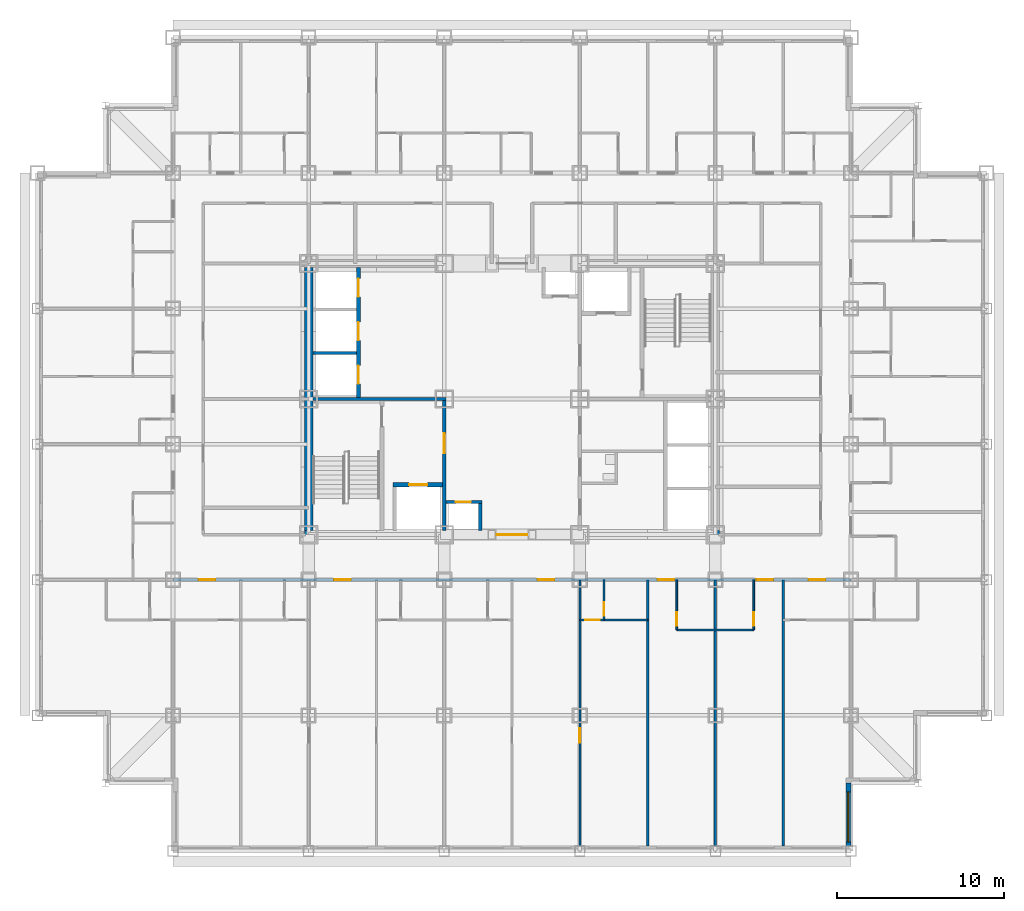
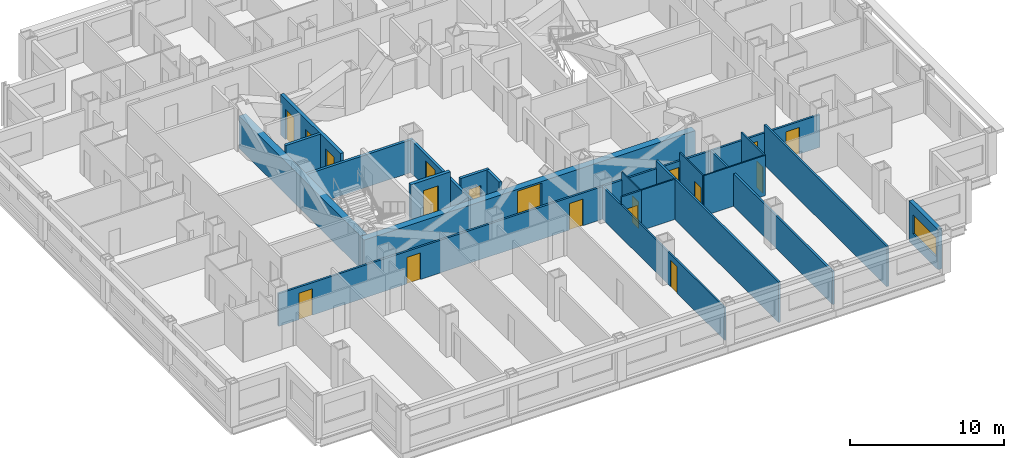
# One storey, part 6 of 14: 21 walls, 18 doors, 1 window, 19 openings.
"""IFC4 building model written with IfcOpenShell, lengths in metres."""

from ifc_helpers import new_model, si_unit, direction, frame, frame_2d, origin, place, context, subcontext, project, spatial, rectangle, extrude, material, layer, layer_set, type_object, element, fill, save


model = new_model("IFC4")

# Units and contexts
model_context = context("Model", 3, precision=1e-05, world=origin(), true_north=direction((0.0, 1.0)))
body_context = subcontext(model_context, "Body", "Model", "MODEL_VIEW")
ifc_project = project(units=[si_unit("LENGTHUNIT", "METRE"), si_unit("AREAUNIT", "SQUARE_METRE"), si_unit("VOLUMEUNIT", "CUBIC_METRE"), si_unit("PLANEANGLEUNIT", "RADIAN"), si_unit("MASSUNIT", "GRAM", prefix="KILO")], contexts=[model_context])

# Site, building, storey
site_placement = place(None, origin())
site = spatial("IfcSite", under=ifc_project, at=site_placement, CompositionType="ELEMENT")
building_placement = place(site_placement, origin())
building = spatial("IfcBuilding", under=site, at=building_placement, Name="Kopane Lantern Tower", CompositionType="ELEMENT")
storey_placement = place(building_placement, frame((0.0, 0.0, 123.800048828125)))
storey = spatial("IfcBuildingStorey", under=building, at=storey_placement, Name="L31", CompositionType="ELEMENT", Elevation=123.800048828125)

# Wall, opening, door
ifc_material_1 = material(Name="Gypsum board on steel studs", Category="steel")
ifc_layer_1 = layer(ifc_material_1, 0.1201171875)
ifc_layer_set_1 = layer_set([ifc_layer_1], Name="APARTMENT INTERNAL WALL 120")
wall_type_1 = type_object("IfcWallType", Name="APARTMENT INTERNAL WALL 120", PredefinedType="PARTITIONING", material=ifc_layer_set_1)
wall_1_placement = place(storey_placement, frame((32.39990234375, 21.60009765625, 0.0), z_axis=(0.0, 0.0, 1.0), x_axis=(0.0, -1.0, 0.0)))
wall_1 = element("IfcWall", 1, at=wall_1_placement, inside=storey, type_object=wall_type_1, Name="Apartment Internal Wall 120 L31", PredefinedType="PARTITIONING", context=body_context, shape_type="SweptSolid", body=[
    extrude(rectangle(XDim=15.900146484375, YDim=0.1201171875, at=frame_2d((7.9501953125, 0.0))), origin(), (0.0, 0.0, 1.0), 2.57763671875),
])
opening_1_placement = place(wall_1_placement, frame((8.875, 0.0, 0.0)))
opening_1 = element("IfcOpeningElement", 2, at=opening_1_placement, cuts=wall_1, Name="Opening L31-024", PredefinedType="OPENING", context=body_context, shape_type="SweptSolid", body=[
    extrude(rectangle(XDim=0.85009765625, YDim=2.10009765625, at=frame_2d((0.425048828125, 1.050048828125))), frame((0.0, 0.070068359375, 0.0), z_axis=(0.0, -1.0, 0.0), x_axis=(1.0, 0.0, 0.0)), (0.0, 0.0, 1.0), 0.14013671875),
])
ifc_material_2 = material(Name="Timber door set", Category="wood")
door_type_1 = type_object("IfcDoorType", Name="DOOR D4 850x2100", OperationType="SINGLE_SWING_LEFT", PredefinedType="DOOR", material=ifc_material_2)
door_1_placement = place(opening_1_placement, origin())
door_1 = element("IfcDoor", 3, at=door_1_placement, inside=storey, type_object=door_type_1, Name="Door L31-024", OperationType="SINGLE_SWING_LEFT", OverallHeight=2.10009765625, OverallWidth=0.85009765625, PredefinedType="DOOR", context=body_context, shape_type="SweptSolid", body=[
    extrude(rectangle(XDim=0.85009765625, YDim=2.10009765625, at=frame_2d((0.425048828125, 1.050048828125))), frame((0.0, 0.02490234375, 0.0), z_axis=(0.0, -1.0, 0.0), x_axis=(1.0, 0.0, 0.0)), (0.0, 0.0, 1.0), 0.050048828125),
])
fill(opening_1, door_1)

wall_2_placement = place(storey_placement, frame((33.860107421875, 19.199951171875, 0.0), z_axis=(0.0, 0.0, 1.0), x_axis=(-1.0, 0.0, 0.0)))
wall_2 = element("IfcWall", 4, at=wall_2_placement, inside=storey, type_object=wall_type_1, Name="Apartment Internal Wall 120 L31", PredefinedType="PARTITIONING", context=body_context, shape_type="SweptSolid", body=[
    extrude(rectangle(XDim=1.460205078125, YDim=0.1201171875, at=frame_2d((0.72998046875, 0.0))), origin(), (0.0, 0.0, 1.0), 3.18994140625),
])
opening_2_placement = place(wall_2_placement, frame((0.27490234375, 0.0, 0.0)))
opening_2 = element("IfcOpeningElement", 5, at=opening_2_placement, cuts=wall_2, Name="Opening L31-082", PredefinedType="OPENING", context=body_context, shape_type="SweptSolid", body=[
    extrude(rectangle(XDim=0.85009765625, YDim=2.10009765625, at=frame_2d((0.425048828125, 1.050048828125))), frame((0.0, 0.070068359375, 0.0), z_axis=(0.0, -1.0, 0.0), x_axis=(1.0, 0.0, 0.0)), (0.0, 0.0, 1.0), 0.14013671875),
])
door_2_placement = place(opening_2_placement, origin())
door_2 = element("IfcDoor", 6, at=door_2_placement, inside=storey, type_object=door_type_1, Name="Door L31-082", OperationType="SINGLE_SWING_RIGHT", OverallHeight=2.10009765625, OverallWidth=0.85009765625, PredefinedType="DOOR", context=body_context, shape_type="SweptSolid", body=[
    extrude(rectangle(XDim=0.85009765625, YDim=2.10009765625, at=frame_2d((0.425048828125, 1.050048828125))), frame((0.0, 0.02490234375, 0.0), z_axis=(0.0, -1.0, 0.0), x_axis=(1.0, 0.0, 0.0)), (0.0, 0.0, 1.0), 0.050048828125),
])
fill(opening_2, door_2)

# Wall
ifc_material_3 = material(Name="Moisture-resistant board on steel studs", Category="steel")
ifc_layer_2 = layer(ifc_material_3, 0.10009765625)
ifc_layer_set_2 = layer_set([ifc_layer_2], Name="BATHROOM WALL 100")
wall_type_2 = type_object("IfcWallType", Name="BATHROOM WALL 100", PredefinedType="PARTITIONING", material=ifc_layer_set_2)
wall_3_placement = place(storey_placement, frame((33.85009765625, 19.199951171875, 0.0), z_axis=(0.0, 0.0, 1.0), x_axis=(1.0, 0.0, 0.0)))
element("IfcWall", 7, at=wall_3_placement, inside=storey, type_object=wall_type_2, Name="Bathroom Wall 100 L31", PredefinedType="PARTITIONING", context=body_context, shape_type="SweptSolid", body=[
    extrude(rectangle(XDim=2.599853515625, YDim=0.10009765625, at=frame_2d((1.2998046875, 0.0))), origin(), (0.0, 0.0, 1.0), 3.18994140625),
])

# Wall, opening, door
wall_4_placement = place(storey_placement, frame((33.85009765625, 21.60009765625, 0.0), z_axis=(0.0, 0.0, 1.0), x_axis=(0.0, -1.0, 0.0)))
wall_4 = element("IfcWall", 8, at=wall_4_placement, inside=storey, type_object=wall_type_2, Name="Bathroom Wall 100 L31", PredefinedType="PARTITIONING", context=body_context, shape_type="SweptSolid", body=[
    extrude(rectangle(XDim=2.400146484375, YDim=0.10009765625, at=frame_2d((1.2001953125, 0.0))), origin(), (0.0, 0.0, 1.0), 3.18994140625),
])
opening_3_placement = place(wall_4_placement, frame((1.35009765625, 0.0, 0.0)))
opening_3 = element("IfcOpeningElement", 9, at=opening_3_placement, cuts=wall_4, Name="Opening L31-023", PredefinedType="OPENING", context=body_context, shape_type="SweptSolid", body=[
    extrude(rectangle(XDim=0.800048828125, YDim=2.10009765625, at=frame_2d((0.39990234375, 1.050048828125))), frame((0.0, 0.06005859375, 0.0), z_axis=(0.0, -1.0, 0.0), x_axis=(1.0, 0.0, 0.0)), (0.0, 0.0, 1.0), 0.1201171875),
])
ifc_material_4 = material(Name="Timber door set", Category="wood")
door_type_2 = type_object("IfcDoorType", Name="DOOR D2 800x2100", OperationType="SINGLE_SWING_LEFT", PredefinedType="DOOR", material=ifc_material_4)
door_3_placement = place(opening_3_placement, origin())
door_3 = element("IfcDoor", 10, at=door_3_placement, inside=storey, type_object=door_type_2, Name="Door L31-023", OperationType="SINGLE_SWING_LEFT", OverallHeight=2.10009765625, OverallWidth=0.800048828125, PredefinedType="DOOR", context=body_context, shape_type="SweptSolid", body=[
    extrude(rectangle(XDim=0.800048828125, YDim=2.10009765625, at=frame_2d((0.39990234375, 1.050048828125))), frame((0.0, 0.02490234375, 0.0), z_axis=(0.0, -1.0, 0.0), x_axis=(1.0, 0.0, 0.0)), (0.0, 0.0, 1.0), 0.050048828125),
])
fill(opening_3, door_3)

# Wall
wall_5_placement = place(storey_placement, frame((38.199951171875, 18.60009765625, 0.0), z_axis=(0.0, 0.0, 1.0), x_axis=(1.0, 0.0, 0.0)))
element("IfcWall", 11, at=wall_5_placement, inside=storey, type_object=wall_type_2, Name="Bathroom Wall 100 L31", PredefinedType="PARTITIONING", context=body_context, shape_type="SweptSolid", body=[
    extrude(rectangle(XDim=4.60009765625, YDim=0.10009765625, at=frame_2d((2.300048828125, 0.0))), origin(), (0.0, 0.0, 1.0), 3.18994140625),
])

# Wall, opening, door
wall_6_placement = place(storey_placement, frame((38.199951171875, 21.60009765625, 0.0), z_axis=(0.0, 0.0, 1.0), x_axis=(0.0, -1.0, 0.0)))
wall_6 = element("IfcWall", 12, at=wall_6_placement, inside=storey, type_object=wall_type_2, Name="Bathroom Wall 100 L31", PredefinedType="PARTITIONING", context=body_context, shape_type="SweptSolid", body=[
    extrude(rectangle(XDim=3.0, YDim=0.10009765625, at=frame_2d((1.5, 0.0))), origin(), (0.0, 0.0, 1.0), 3.18994140625),
])
opening_4_placement = place(wall_6_placement, frame((1.949951171875, 0.0, 0.0)))
opening_4 = element("IfcOpeningElement", 13, at=opening_4_placement, cuts=wall_6, Name="Opening L31-025", PredefinedType="OPENING", context=body_context, shape_type="SweptSolid", body=[
    extrude(rectangle(XDim=0.800048828125, YDim=2.10009765625, at=frame_2d((0.39990234375, 1.050048828125))), frame((0.0, 0.06005859375, 0.0), z_axis=(0.0, -1.0, 0.0), x_axis=(1.0, 0.0, 0.0)), (0.0, 0.0, 1.0), 0.1201171875),
])
door_4_placement = place(opening_4_placement, origin())
door_4 = element("IfcDoor", 14, at=door_4_placement, inside=storey, type_object=door_type_2, Name="Door L31-025", OperationType="SINGLE_SWING_RIGHT", OverallHeight=2.10009765625, OverallWidth=0.800048828125, PredefinedType="DOOR", context=body_context, shape_type="SweptSolid", body=[
    extrude(rectangle(XDim=0.800048828125, YDim=2.10009765625, at=frame_2d((0.39990234375, 1.050048828125))), frame((0.0, 0.02490234375, 0.0), z_axis=(0.0, -1.0, 0.0), x_axis=(1.0, 0.0, 0.0)), (0.0, 0.0, 1.0), 0.050048828125),
])
fill(opening_4, door_4)

wall_7_placement = place(storey_placement, frame((42.800048828125, 21.60009765625, 0.0), z_axis=(0.0, 0.0, 1.0), x_axis=(0.0, -1.0, 0.0)))
wall_7 = element("IfcWall", 15, at=wall_7_placement, inside=storey, type_object=wall_type_2, Name="Bathroom Wall 100 L31", PredefinedType="PARTITIONING", context=body_context, shape_type="SweptSolid", body=[
    extrude(rectangle(XDim=3.0, YDim=0.10009765625, at=frame_2d((1.5, 0.0))), origin(), (0.0, 0.0, 1.0), 3.18994140625),
])
opening_5_placement = place(wall_7_placement, frame((1.949951171875, 0.0, 0.0)))
opening_5 = element("IfcOpeningElement", 16, at=opening_5_placement, cuts=wall_7, Name="Opening L31-027", PredefinedType="OPENING", context=body_context, shape_type="SweptSolid", body=[
    extrude(rectangle(XDim=0.800048828125, YDim=2.10009765625, at=frame_2d((0.39990234375, 1.050048828125))), frame((0.0, 0.06005859375, 0.0), z_axis=(0.0, -1.0, 0.0), x_axis=(1.0, 0.0, 0.0)), (0.0, 0.0, 1.0), 0.1201171875),
])
door_5_placement = place(opening_5_placement, origin())
door_5 = element("IfcDoor", 17, at=door_5_placement, inside=storey, type_object=door_type_2, Name="Door L31-027", OperationType="SINGLE_SWING_LEFT", OverallHeight=2.10009765625, OverallWidth=0.800048828125, PredefinedType="DOOR", context=body_context, shape_type="SweptSolid", body=[
    extrude(rectangle(XDim=0.800048828125, YDim=2.10009765625, at=frame_2d((0.39990234375, 1.050048828125))), frame((0.0, 0.02490234375, 0.0), z_axis=(0.0, -1.0, 0.0), x_axis=(1.0, 0.0, 0.0)), (0.0, 0.0, 1.0), 0.050048828125),
])
fill(opening_5, door_5)

ifc_material_5 = material(Name="Gypsum shaft wall EI 120", Category="gypsum")
ifc_layer_3 = layer(ifc_material_5, 0.5)
ifc_layer_set_3 = layer_set([ifc_layer_3], Name="CORE PERIMETER WALL 500 EI 120")
wall_type_3 = type_object("IfcWallType", Name="CORE PERIMETER WALL 500 EI 120", PredefinedType="SOLIDWALL", material=ifc_layer_set_3)
wall_8_placement = place(storey_placement, frame((15.949951171875, 24.300048828125, 0.0), z_axis=(0.0, 0.0, 1.0), x_axis=(1.0, 0.0, 0.0)))
wall_8 = element("IfcWall", 18, at=wall_8_placement, inside=storey, type_object=wall_type_3, Name="Core shaft wall L31 PS", PredefinedType="SOLIDWALL", context=body_context, shape_type="SweptSolid", body=[
    extrude(rectangle(XDim=24.800048828125, YDim=0.5, at=frame_2d((12.39990234375, 0.0))), origin(), (0.0, 0.0, 1.0), 2.5400390625),
])
opening_6_placement = place(wall_8_placement, frame((11.5, 0.0, 0.0)))
opening_6 = element("IfcOpeningElement", 19, at=opening_6_placement, cuts=wall_8, Name="Opening 31.CE-S", PredefinedType="OPENING", context=body_context, shape_type="SweptSolid", body=[
    extrude(rectangle(XDim=1.800048828125, YDim=2.39990234375, at=frame_2d((0.89990234375, 1.199951171875))), frame((0.0, 0.260009765625, 0.0), z_axis=(0.0, -1.0, 0.0), x_axis=(1.0, 0.0, 0.0)), (0.0, 0.0, 1.0), 0.52001953125),
])
ifc_material_6 = material(Name="Steel door set", Category="steel")
door_type_3 = type_object("IfcDoorType", Name="CORE ENTRY DOOR 1800x2400 FD60S", OperationType="DOUBLE_DOOR_SINGLE_SWING", PredefinedType="DOOR", material=ifc_material_6)
door_6_placement = place(opening_6_placement, origin())
door_6 = element("IfcDoor", 20, at=door_6_placement, inside=storey, type_object=door_type_3, Name="Core entry door L31 south", OperationType="DOUBLE_DOOR_SINGLE_SWING", OverallHeight=2.39990234375, OverallWidth=1.800048828125, PredefinedType="DOOR", context=body_context, shape_type="SweptSolid", body=[
    extrude(rectangle(XDim=1.800048828125, YDim=2.39990234375, at=frame_2d((0.89990234375, 1.199951171875))), frame((0.0, 0.02490234375, 0.0), z_axis=(0.0, -1.0, 0.0), x_axis=(1.0, 0.0, 0.0)), (0.0, 0.0, 1.0), 0.050048828125),
])
fill(opening_6, door_6)

# Wall
wall_9_placement = place(storey_placement, frame((16.199951171875, 24.550048828125, 0.0), z_axis=(0.0, 0.0, 1.0), x_axis=(0.0, 1.0, 0.0)))
element("IfcWall", 21, at=wall_9_placement, inside=storey, type_object=wall_type_3, Name="Core shaft wall L31 PW", PredefinedType="SOLIDWALL", context=body_context, shape_type="SweptSolid", body=[
    extrude(rectangle(XDim=15.699951171875, YDim=0.5, at=frame_2d((7.85009765625, 0.0))), origin(), (0.0, 0.0, 1.0), 2.57763671875),
])

# Wall, opening, door
ifc_material_7 = material(Name="Gypsum shaft wall EI 120", Category="gypsum")
ifc_layer_4 = layer(ifc_material_7, 0.25)
ifc_layer_set_4 = layer_set([ifc_layer_4], Name="CORE SHAFT WALL 250 EI 120")
wall_type_4 = type_object("IfcWallType", Name="CORE SHAFT WALL 250 EI 120", PredefinedType="SOLIDWALL", material=ifc_layer_set_4)
wall_10_placement = place(storey_placement, frame((21.25, 27.27490234375, 0.0), z_axis=(0.0, 0.0, 1.0), x_axis=(1.0, 0.0, 0.0)))
wall_10 = element("IfcWall", 22, at=wall_10_placement, inside=storey, type_object=wall_type_4, Name="Core shaft wall L31 YLF1", PredefinedType="SOLIDWALL", context=body_context, shape_type="SweptSolid", body=[
    extrude(rectangle(XDim=2.949951171875, YDim=0.25, at=frame_2d((1.47509765625, 0.0))), origin(), (0.0, 0.0, 1.0), 3.18994140625),
])
opening_7_placement = place(wall_10_placement, frame((0.949951171875, 0.0, 0.0)))
opening_7 = element("IfcOpeningElement", 23, at=opening_7_placement, cuts=wall_10, Name="Opening 31.LD-LF1", PredefinedType="OPENING", context=body_context, shape_type="SweptSolid", body=[
    extrude(rectangle(XDim=1.10009765625, YDim=2.39990234375, at=frame_2d((0.550048828125, 1.199951171875))), frame((0.0, 0.135009765625, 0.0), z_axis=(0.0, -1.0, 0.0), x_axis=(1.0, 0.0, 0.0)), (0.0, 0.0, 1.0), 0.27001953125),
])
ifc_material_8 = material(Name="Steel door set", Category="steel")
door_type_4 = type_object("IfcDoorType", Name="LIFT LANDING DOOR 1100x2400 FD60", OperationType="DOUBLE_DOOR_SLIDING", PredefinedType="DOOR", material=ifc_material_8)
door_7_placement = place(opening_7_placement, origin())
door_7 = element("IfcDoor", 24, at=door_7_placement, inside=storey, type_object=door_type_4, Name="Landing door LF1 L31", OperationType="DOUBLE_DOOR_SLIDING", OverallHeight=2.39990234375, OverallWidth=1.10009765625, PredefinedType="DOOR", context=body_context, shape_type="SweptSolid", body=[
    extrude(rectangle(XDim=1.10009765625, YDim=2.39990234375, at=frame_2d((0.550048828125, 1.199951171875))), frame((0.0, 0.02490234375, 0.0), z_axis=(0.0, -1.0, 0.0), x_axis=(1.0, 0.0, 0.0)), (0.0, 0.0, 1.0), 0.050048828125),
])
fill(opening_7, door_7)

# Wall, openings, doors
wall_11_placement = place(storey_placement, frame((19.175048828125, 32.5, 0.0), z_axis=(0.0, 0.0, 1.0), x_axis=(0.0, 1.0, 0.0)))
wall_11 = element("IfcWall", 25, at=wall_11_placement, inside=storey, type_object=wall_type_4, Name="Core shaft wall L31 XLH", PredefinedType="SOLIDWALL", context=body_context, shape_type="SweptSolid", body=[
    extrude(rectangle(XDim=7.75, YDim=0.25, at=frame_2d((3.875, 0.0))), origin(), (0.0, 0.0, 1.0), 3.18994140625),
])
opening_8_placement = place(wall_11_placement, frame((0.800048828125, 0.0, 0.0)))
opening_8 = element("IfcOpeningElement", 26, at=opening_8_placement, cuts=wall_11, Name="Opening 31.LD-LH1", PredefinedType="OPENING", context=body_context, shape_type="SweptSolid", body=[
    extrude(rectangle(XDim=1.10009765625, YDim=2.39990234375, at=frame_2d((0.550048828125, 1.199951171875))), frame((0.0, 0.135009765625, 0.0), z_axis=(0.0, -1.0, 0.0), x_axis=(1.0, 0.0, 0.0)), (0.0, 0.0, 1.0), 0.27001953125),
])
opening_9_placement = place(wall_11_placement, frame((3.39990234375, 0.0, 0.0)))
opening_9 = element("IfcOpeningElement", 27, at=opening_9_placement, cuts=wall_11, Name="Opening 31.LD-LH2", PredefinedType="OPENING", context=body_context, shape_type="SweptSolid", body=[
    extrude(rectangle(XDim=1.10009765625, YDim=2.39990234375, at=frame_2d((0.550048828125, 1.199951171875))), frame((0.0, 0.135009765625, 0.0), z_axis=(0.0, -1.0, 0.0), x_axis=(1.0, 0.0, 0.0)), (0.0, 0.0, 1.0), 0.27001953125),
])
opening_10_placement = place(wall_11_placement, frame((6.0, 0.0, 0.0)))
opening_10 = element("IfcOpeningElement", 28, at=opening_10_placement, cuts=wall_11, Name="Opening 31.LD-LH3", PredefinedType="OPENING", context=body_context, shape_type="SweptSolid", body=[
    extrude(rectangle(XDim=1.10009765625, YDim=2.39990234375, at=frame_2d((0.550048828125, 1.199951171875))), frame((0.0, 0.135009765625, 0.0), z_axis=(0.0, -1.0, 0.0), x_axis=(1.0, 0.0, 0.0)), (0.0, 0.0, 1.0), 0.27001953125),
])
door_8_placement = place(opening_8_placement, origin())
door_8 = element("IfcDoor", 29, at=door_8_placement, inside=storey, type_object=door_type_4, Name="Landing door LH1 L31", OperationType="DOUBLE_DOOR_SLIDING", OverallHeight=2.39990234375, OverallWidth=1.10009765625, PredefinedType="DOOR", context=body_context, shape_type="SweptSolid", body=[
    extrude(rectangle(XDim=1.10009765625, YDim=2.39990234375, at=frame_2d((0.550048828125, 1.199951171875))), frame((0.0, 0.02490234375, 0.0), z_axis=(0.0, -1.0, 0.0), x_axis=(1.0, 0.0, 0.0)), (0.0, 0.0, 1.0), 0.050048828125),
])
fill(opening_8, door_8)
door_9_placement = place(opening_9_placement, origin())
door_9 = element("IfcDoor", 30, at=door_9_placement, inside=storey, type_object=door_type_4, Name="Landing door LH2 L31", OperationType="DOUBLE_DOOR_SLIDING", OverallHeight=2.39990234375, OverallWidth=1.10009765625, PredefinedType="DOOR", context=body_context, shape_type="SweptSolid", body=[
    extrude(rectangle(XDim=1.10009765625, YDim=2.39990234375, at=frame_2d((0.550048828125, 1.199951171875))), frame((0.0, 0.02490234375, 0.0), z_axis=(0.0, -1.0, 0.0), x_axis=(1.0, 0.0, 0.0)), (0.0, 0.0, 1.0), 0.050048828125),
])
fill(opening_9, door_9)
door_10_placement = place(opening_10_placement, origin())
door_10 = element("IfcDoor", 31, at=door_10_placement, inside=storey, type_object=door_type_4, Name="Landing door LH3 L31", OperationType="DOUBLE_DOOR_SLIDING", OverallHeight=2.39990234375, OverallWidth=1.10009765625, PredefinedType="DOOR", context=body_context, shape_type="SweptSolid", body=[
    extrude(rectangle(XDim=1.10009765625, YDim=2.39990234375, at=frame_2d((0.550048828125, 1.199951171875))), frame((0.0, 0.02490234375, 0.0), z_axis=(0.0, -1.0, 0.0), x_axis=(1.0, 0.0, 0.0)), (0.0, 0.0, 1.0), 0.050048828125),
])
fill(opening_10, door_10)

ifc_material_9 = material(Name="Gypsum board on steel studs", Category="steel")
ifc_layer_5 = layer(ifc_material_9, 0.14990234375)
ifc_layer_set_5 = layer_set([ifc_layer_5], Name="CORRIDOR WALL 150 EI 60")
wall_type_5 = type_object("IfcWallType", Name="CORRIDOR WALL 150 EI 60", PredefinedType="PARTITIONING", material=ifc_layer_set_5)
wall_12_placement = place(storey_placement, frame((8.10009765625, 21.60009765625, 0.0), z_axis=(0.0, 0.0, 1.0), x_axis=(1.0, 0.0, 0.0)))
wall_12 = element("IfcWall", 32, at=wall_12_placement, inside=storey, type_object=wall_type_5, Name="Corridor Wall 150 Ei 60 L31", PredefinedType="PARTITIONING", context=body_context, shape_type="SweptSolid", body=[
    extrude(rectangle(XDim=40.5, YDim=0.14990234375, at=frame_2d((20.25, 0.0))), origin(), (0.0, 0.0, 1.0), 2.57763671875),
])
opening_11_placement = place(wall_12_placement, frame((9.625, 0.0, 0.0)))
opening_11 = element("IfcOpeningElement", 33, at=opening_11_placement, cuts=wall_12, Name="Opening L31-015", PredefinedType="OPENING", context=body_context, shape_type="SweptSolid", body=[
    extrude(rectangle(XDim=1.0, YDim=2.10009765625, at=frame_2d((0.5, 1.050048828125))), frame((0.0, 0.0849609375, 0.0), z_axis=(0.0, -1.0, 0.0), x_axis=(1.0, 0.0, 0.0)), (0.0, 0.0, 1.0), 0.169921875),
])
opening_12_placement = place(wall_12_placement, frame((21.77490234375, 0.0, 0.0)))
opening_12 = element("IfcOpeningElement", 34, at=opening_12_placement, cuts=wall_12, Name="Opening L31-020", PredefinedType="OPENING", context=body_context, shape_type="SweptSolid", body=[
    extrude(rectangle(XDim=1.0, YDim=2.10009765625, at=frame_2d((0.5, 1.050048828125))), frame((0.0, 0.0849609375, 0.0), z_axis=(0.0, -1.0, 0.0), x_axis=(1.0, 0.0, 0.0)), (0.0, 0.0, 1.0), 0.169921875),
])
opening_13_placement = place(wall_12_placement, frame((28.949951171875, 0.0, 0.0)))
opening_13 = element("IfcOpeningElement", 35, at=opening_13_placement, cuts=wall_12, Name="Opening L31-026", PredefinedType="OPENING", context=body_context, shape_type="SweptSolid", body=[
    extrude(rectangle(XDim=1.0, YDim=2.10009765625, at=frame_2d((0.5, 1.050048828125))), frame((0.0, 0.0849609375, 0.0), z_axis=(0.0, -1.0, 0.0), x_axis=(1.0, 0.0, 0.0)), (0.0, 0.0, 1.0), 0.169921875),
])
opening_14_placement = place(wall_12_placement, frame((34.85009765625, 0.0, 0.0)))
opening_14 = element("IfcOpeningElement", 36, at=opening_14_placement, cuts=wall_12, Name="Opening L31-028", PredefinedType="OPENING", context=body_context, shape_type="SweptSolid", body=[
    extrude(rectangle(XDim=1.0, YDim=2.10009765625, at=frame_2d((0.5, 1.050048828125))), frame((0.0, 0.0849609375, 0.0), z_axis=(0.0, -1.0, 0.0), x_axis=(1.0, 0.0, 0.0)), (0.0, 0.0, 1.0), 0.169921875),
])
opening_15_placement = place(wall_12_placement, frame((1.52490234375, 0.0, 0.0)))
opening_15 = element("IfcOpeningElement", 37, at=opening_15_placement, cuts=wall_12, Name="Opening L31-065", PredefinedType="OPENING", context=body_context, shape_type="SweptSolid", body=[
    extrude(rectangle(XDim=1.0, YDim=2.10009765625, at=frame_2d((0.5, 1.050048828125))), frame((0.0, 0.0849609375, 0.0), z_axis=(0.0, -1.0, 0.0), x_axis=(1.0, 0.0, 0.0)), (0.0, 0.0, 1.0), 0.169921875),
])
opening_16_placement = place(wall_12_placement, frame((37.97509765625, 0.0, 0.0)))
opening_16 = element("IfcOpeningElement", 38, at=opening_16_placement, cuts=wall_12, Name="Opening L31-069", PredefinedType="OPENING", context=body_context, shape_type="SweptSolid", body=[
    extrude(rectangle(XDim=1.0, YDim=2.10009765625, at=frame_2d((0.5, 1.050048828125))), frame((0.0, 0.0849609375, 0.0), z_axis=(0.0, -1.0, 0.0), x_axis=(1.0, 0.0, 0.0)), (0.0, 0.0, 1.0), 0.169921875),
])
ifc_material_10 = material(Name="Steel door set", Category="steel")
door_type_5 = type_object("IfcDoorType", Name="DOOR D1 1000x2100 FD30S", OperationType="SINGLE_SWING_LEFT", PredefinedType="DOOR", material=ifc_material_10)
door_11_placement = place(opening_11_placement, origin())
door_11 = element("IfcDoor", 39, at=door_11_placement, inside=storey, type_object=door_type_5, Name="Door L31-015", OperationType="SINGLE_SWING_LEFT", OverallHeight=2.10009765625, OverallWidth=1.0, PredefinedType="DOOR", context=body_context, shape_type="SweptSolid", body=[
    extrude(rectangle(XDim=1.0, YDim=2.10009765625, at=frame_2d((0.5, 1.050048828125))), frame((0.0, 0.02490234375, 0.0), z_axis=(0.0, -1.0, 0.0), x_axis=(1.0, 0.0, 0.0)), (0.0, 0.0, 1.0), 0.050048828125),
])
fill(opening_11, door_11)
door_12_placement = place(opening_12_placement, origin())
door_12 = element("IfcDoor", 40, at=door_12_placement, inside=storey, type_object=door_type_5, Name="Door L31-020", OperationType="SINGLE_SWING_RIGHT", OverallHeight=2.10009765625, OverallWidth=1.0, PredefinedType="DOOR", context=body_context, shape_type="SweptSolid", body=[
    extrude(rectangle(XDim=1.0, YDim=2.10009765625, at=frame_2d((0.5, 1.050048828125))), frame((0.0, 0.02490234375, 0.0), z_axis=(0.0, -1.0, 0.0), x_axis=(1.0, 0.0, 0.0)), (0.0, 0.0, 1.0), 0.050048828125),
])
fill(opening_12, door_12)
door_13_placement = place(opening_13_placement, origin())
door_13 = element("IfcDoor", 41, at=door_13_placement, inside=storey, type_object=door_type_5, Name="Door L31-026", OperationType="SINGLE_SWING_LEFT", OverallHeight=2.10009765625, OverallWidth=1.0, PredefinedType="DOOR", context=body_context, shape_type="SweptSolid", body=[
    extrude(rectangle(XDim=1.0, YDim=2.10009765625, at=frame_2d((0.5, 1.050048828125))), frame((0.0, 0.02490234375, 0.0), z_axis=(0.0, -1.0, 0.0), x_axis=(1.0, 0.0, 0.0)), (0.0, 0.0, 1.0), 0.050048828125),
])
fill(opening_13, door_13)
door_14_placement = place(opening_14_placement, origin())
door_14 = element("IfcDoor", 42, at=door_14_placement, inside=storey, type_object=door_type_5, Name="Door L31-028", OperationType="SINGLE_SWING_RIGHT", OverallHeight=2.10009765625, OverallWidth=1.0, PredefinedType="DOOR", context=body_context, shape_type="SweptSolid", body=[
    extrude(rectangle(XDim=1.0, YDim=2.10009765625, at=frame_2d((0.5, 1.050048828125))), frame((0.0, 0.02490234375, 0.0), z_axis=(0.0, -1.0, 0.0), x_axis=(1.0, 0.0, 0.0)), (0.0, 0.0, 1.0), 0.050048828125),
])
fill(opening_14, door_14)
door_15_placement = place(opening_15_placement, origin())
door_15 = element("IfcDoor", 43, at=door_15_placement, inside=storey, type_object=door_type_5, Name="Door L31-065", OperationType="SINGLE_SWING_LEFT", OverallHeight=2.10009765625, OverallWidth=1.0, PredefinedType="DOOR", context=body_context, shape_type="SweptSolid", body=[
    extrude(rectangle(XDim=1.0, YDim=2.10009765625, at=frame_2d((0.5, 1.050048828125))), frame((0.0, 0.02490234375, 0.0), z_axis=(0.0, -1.0, 0.0), x_axis=(1.0, 0.0, 0.0)), (0.0, 0.0, 1.0), 0.050048828125),
])
fill(opening_15, door_15)
door_16_placement = place(opening_16_placement, origin())
door_16 = element("IfcDoor", 44, at=door_16_placement, inside=storey, type_object=door_type_5, Name="Door L31-069", OperationType="SINGLE_SWING_RIGHT", OverallHeight=2.10009765625, OverallWidth=1.0, PredefinedType="DOOR", context=body_context, shape_type="SweptSolid", body=[
    extrude(rectangle(XDim=1.0, YDim=2.10009765625, at=frame_2d((0.5, 1.050048828125))), frame((0.0, 0.02490234375, 0.0), z_axis=(0.0, -1.0, 0.0), x_axis=(1.0, 0.0, 0.0)), (0.0, 0.0, 1.0), 0.050048828125),
])
fill(opening_16, door_16)

# Walls
ifc_material_11 = material(Name="Gypsum board on steel studs", Category="steel")
ifc_layer_6 = layer(ifc_material_11, 0.14990234375)
ifc_layer_set_6 = layer_set([ifc_layer_6], Name="DEMISING WALL 150 EI 60")
wall_type_6 = type_object("IfcWallType", Name="DEMISING WALL 150 EI 60", PredefinedType="PARTITIONING", material=ifc_layer_set_6)
wall_13_placement = place(storey_placement, frame((36.449951171875, 21.60009765625, 0.0), z_axis=(0.0, 0.0, 1.0), x_axis=(0.0, -1.0, 0.0)))
element("IfcWall", 45, at=wall_13_placement, inside=storey, type_object=wall_type_6, Name="Demising Wall 150 Ei 60 L31", PredefinedType="PARTITIONING", context=body_context, shape_type="SweptSolid", body=[
    extrude(rectangle(XDim=15.900146484375, YDim=0.14990234375, at=frame_2d((7.9501953125, 0.0))), origin(), (0.0, 0.0, 1.0), 3.18994140625),
])
wall_14_placement = place(storey_placement, frame((40.5, 21.60009765625, 0.0), z_axis=(0.0, 0.0, 1.0), x_axis=(0.0, -1.0, 0.0)))
element("IfcWall", 46, at=wall_14_placement, inside=storey, type_object=wall_type_6, Name="Demising Wall 150 Ei 60 L31", PredefinedType="PARTITIONING", context=body_context, shape_type="SweptSolid", body=[
    extrude(rectangle(XDim=15.900146484375, YDim=0.14990234375, at=frame_2d((7.9501953125, 0.0))), origin(), (0.0, 0.0, 1.0), 2.57763671875),
])
wall_15_placement = place(storey_placement, frame((44.550048828125, 21.60009765625, 0.0), z_axis=(0.0, 0.0, 1.0), x_axis=(0.0, -1.0, 0.0)))
element("IfcWall", 47, at=wall_15_placement, inside=storey, type_object=wall_type_6, Name="Demising Wall 150 Ei 60 L31", PredefinedType="PARTITIONING", context=body_context, shape_type="SweptSolid", body=[
    extrude(rectangle(XDim=15.900146484375, YDim=0.14990234375, at=frame_2d((7.9501953125, 0.0))), origin(), (0.0, 0.0, 1.0), 3.18994140625),
])

# Wall, opening, window
ifc_material_12 = material(Name="Terracotta rainscreen on light steel framing", Category="masonry")
ifc_layer_7 = layer(ifc_material_12, 0.300048828125)
ifc_layer_set_7 = layer_set([ifc_layer_7], Name="EXTERNAL WALL EW1 300 TERRACOTTA")
wall_type_7 = type_object("IfcWallType", Name="EXTERNAL WALL EW1 300 TERRACOTTA", PredefinedType="SOLIDWALL", material=ifc_layer_set_7)
wall_16_placement = place(storey_placement, frame((48.449951171875, 5.699951171875, 0.0), z_axis=(0.0, 0.0, 1.0), x_axis=(0.0, 1.0, 0.0)))
wall_16 = element("IfcWall", 48, at=wall_16_placement, inside=storey, type_object=wall_type_7, Name="External wall E L31", PredefinedType="SOLIDWALL", context=body_context, shape_type="SweptSolid", body=[
    extrude(rectangle(XDim=3.75, YDim=0.300048828125, at=frame_2d((1.875, 0.0))), origin(), (0.0, 0.0, 1.0), 3.18994140625),
])
opening_17_placement = place(wall_16_placement, frame((0.22509765625, 0.0, 0.89990234375)))
opening_17 = element("IfcOpeningElement", 49, at=opening_17_placement, cuts=wall_16, Name="Opening WR300150", PredefinedType="OPENING", context=body_context, shape_type="SweptSolid", body=[
    extrude(rectangle(XDim=3.0, YDim=1.5, at=frame_2d((1.5, 0.75))), frame((0.0, 0.159912109375, 0.0), z_axis=(0.0, -1.0, 0.0), x_axis=(1.0, 0.0, 0.0)), (0.0, 0.0, 1.0), 0.320068359375),
])
ifc_material_13 = material(Name="Aluminium and clear glass", Category="aluminium")
window_type = type_object("IfcWindowType", Name="RIBBON WINDOW WR300150 3000x1500", PartitioningType="SINGLE_PANEL", PredefinedType="WINDOW", material=ifc_material_13)
window_placement = place(opening_17_placement, origin())
window = element("IfcWindow", 50, at=window_placement, inside=storey, type_object=window_type, Name="Window E L31", OverallHeight=1.5, OverallWidth=3.0, PartitioningType="SINGLE_PANEL", PredefinedType="WINDOW", context=body_context, shape_type="SweptSolid", body=[
    extrude(rectangle(XDim=3.0, YDim=1.5, at=frame_2d((1.5, 0.75))), frame((0.0, 0.030029296875, 0.0), z_axis=(0.0, -1.0, 0.0), x_axis=(1.0, 0.0, 0.0)), (0.0, 0.0, 1.0), 0.06005859375),
])
fill(opening_17, window)

# Wall
ifc_material_14 = material(Name="Gypsum shaft wall EI 120", Category="gypsum")
ifc_layer_8 = layer(ifc_material_14, 0.199951171875)
ifc_layer_set_8 = layer_set([ifc_layer_8], Name="SHAFT WALL 200 EI 120")
wall_type_8 = type_object("IfcWallType", Name="SHAFT WALL 200 EI 120", PredefinedType="SOLIDWALL", material=ifc_layer_set_8)
wall_17_placement = place(storey_placement, frame((16.449951171875, 32.39990234375, 0.0), z_axis=(0.0, 0.0, 1.0), x_axis=(1.0, 0.0, 0.0)))
element("IfcWall", 51, at=wall_17_placement, inside=storey, type_object=wall_type_8, Name="Core shaft wall L31 Y324W", PredefinedType="SOLIDWALL", context=body_context, shape_type="SweptSolid", body=[
    extrude(rectangle(XDim=7.949951171875, YDim=0.199951171875, at=frame_2d((3.97509765625, 0.0))), origin(), (0.0, 0.0, 1.0), 2.57763671875),
])

# Wall, opening, door
wall_18_placement = place(storey_placement, frame((24.300048828125, 24.550048828125, 0.0), z_axis=(0.0, 0.0, 1.0), x_axis=(0.0, 1.0, 0.0)))
wall_18 = element("IfcWall", 52, at=wall_18_placement, inside=storey, type_object=wall_type_8, Name="Core shaft wall L31 X243", PredefinedType="SOLIDWALL", context=body_context, shape_type="SweptSolid", body=[
    extrude(rectangle(XDim=7.75, YDim=0.199951171875, at=frame_2d((3.875, 0.0))), origin(), (0.0, 0.0, 1.0), 2.57763671875),
])
opening_18_placement = place(wall_18_placement, frame((4.60009765625, 0.0, 0.0)))
opening_18 = element("IfcOpeningElement", 53, at=opening_18_placement, cuts=wall_18, Name="Opening 31.FL1", PredefinedType="OPENING", context=body_context, shape_type="SweptSolid", body=[
    extrude(rectangle(XDim=1.199951171875, YDim=2.10009765625, at=frame_2d((0.60009765625, 1.050048828125))), frame((0.0, 0.10986328125, 0.0), z_axis=(0.0, -1.0, 0.0), x_axis=(1.0, 0.0, 0.0)), (0.0, 0.0, 1.0), 0.219970703125),
])
ifc_material_15 = material(Name="Steel door set", Category="steel")
door_type_6 = type_object("IfcDoorType", Name="FIREFIGHTING LOBBY DOOR 1200x2100 FD60S", OperationType="SINGLE_SWING_RIGHT", PredefinedType="DOOR", material=ifc_material_15)
door_17_placement = place(opening_18_placement, origin())
door_17 = element("IfcDoor", 54, at=door_17_placement, inside=storey, type_object=door_type_6, Name="Firefighting lobby door FL1 L31", OperationType="SINGLE_SWING_LEFT", OverallHeight=2.10009765625, OverallWidth=1.199951171875, PredefinedType="DOOR", context=body_context, shape_type="SweptSolid", body=[
    extrude(rectangle(XDim=1.199951171875, YDim=2.10009765625, at=frame_2d((0.60009765625, 1.050048828125))), frame((0.0, 0.02490234375, 0.0), z_axis=(0.0, -1.0, 0.0), x_axis=(1.0, 0.0, 0.0)), (0.0, 0.0, 1.0), 0.050048828125),
])
fill(opening_18, door_17)

# Walls
wall_19_placement = place(storey_placement, frame((16.449951171875, 35.14990234375, 0.0), z_axis=(0.0, 0.0, 1.0), x_axis=(1.0, 0.0, 0.0)))
element("IfcWall", 55, at=wall_19_placement, inside=storey, type_object=wall_type_8, Name="Core shaft wall L31 YLH12", PredefinedType="SOLIDWALL", context=body_context, shape_type="SweptSolid", body=[
    extrude(rectangle(XDim=2.60009765625, YDim=0.199951171875, at=frame_2d((1.300048828125, 0.0))), origin(), (0.0, 0.0, 1.0), 3.18994140625),
])
wall_20_placement = place(storey_placement, frame((26.449951171875, 24.550048828125, 0.0), z_axis=(0.0, 0.0, 1.0), x_axis=(0.0, 1.0, 0.0)))
element("IfcWall", 56, at=wall_20_placement, inside=storey, type_object=wall_type_8, Name="Core shaft wall L31 XRS1", PredefinedType="SOLIDWALL", context=body_context, shape_type="SweptSolid", body=[
    extrude(rectangle(XDim=1.599853515625, YDim=0.199951171875, at=frame_2d((0.7998046875, 0.0))), origin(), (0.0, 0.0, 1.0), 3.18994140625),
])

# Wall, opening, door
wall_21_placement = place(storey_placement, frame((24.39990234375, 26.25, 0.0), z_axis=(0.0, 0.0, 1.0), x_axis=(1.0, 0.0, 0.0)))
wall_21 = element("IfcWall", 57, at=wall_21_placement, inside=storey, type_object=wall_type_8, Name="Core shaft wall L31 YRS1", PredefinedType="SOLIDWALL", context=body_context, shape_type="SweptSolid", body=[
    extrude(rectangle(XDim=2.150146484375, YDim=0.199951171875, at=frame_2d((1.0751953125, 0.0))), origin(), (0.0, 0.0, 1.0), 3.18994140625),
])
opening_19_placement = place(wall_21_placement, frame((0.60009765625, 0.0, 0.0)))
opening_19 = element("IfcOpeningElement", 58, at=opening_19_placement, cuts=wall_21, Name="Opening 31.RS1", PredefinedType="OPENING", context=body_context, shape_type="SweptSolid", body=[
    extrude(rectangle(XDim=0.89990234375, YDim=2.10009765625, at=frame_2d((0.449951171875, 1.050048828125))), frame((0.0, 0.10986328125, 0.0), z_axis=(0.0, -1.0, 0.0), x_axis=(1.0, 0.0, 0.0)), (0.0, 0.0, 1.0), 0.219970703125),
])
ifc_material_16 = material(Name="Steel door set", Category="steel")
door_type_7 = type_object("IfcDoorType", Name="RISER ACCESS DOOR 900x2100 FD60", OperationType="SINGLE_SWING_LEFT", PredefinedType="DOOR", material=ifc_material_16)
door_18_placement = place(opening_19_placement, origin())
door_18 = element("IfcDoor", 59, at=door_18_placement, inside=storey, type_object=door_type_7, Name="Riser access door RS1 L31", OperationType="SINGLE_SWING_LEFT", OverallHeight=2.10009765625, OverallWidth=0.89990234375, PredefinedType="DOOR", context=body_context, shape_type="SweptSolid", body=[
    extrude(rectangle(XDim=0.89990234375, YDim=2.10009765625, at=frame_2d((0.449951171875, 1.050048828125))), frame((0.0, 0.02490234375, 0.0), z_axis=(0.0, -1.0, 0.0), x_axis=(1.0, 0.0, 0.0)), (0.0, 0.0, 1.0), 0.050048828125),
])
fill(opening_19, door_18)

save(model, "model.ifc")
